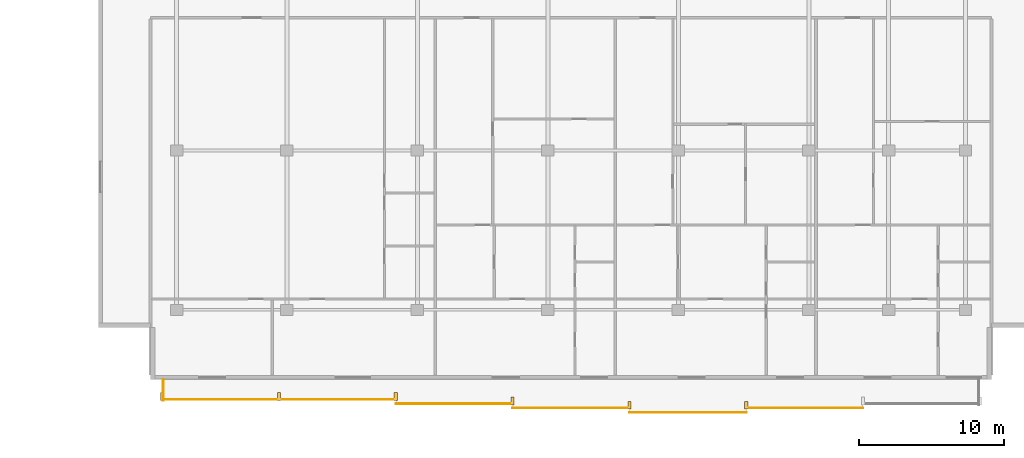
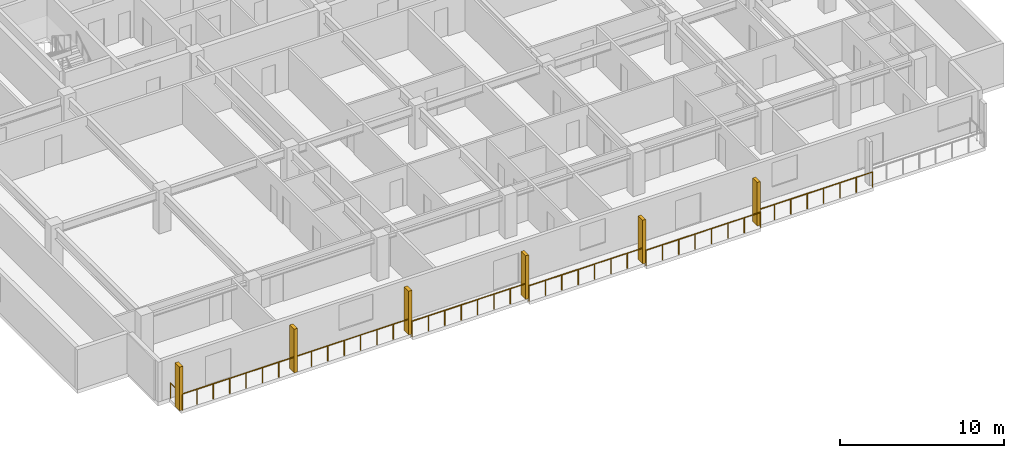
# One storey, part 17 of 21: 6 railings, 6 shading devices.
"""IFC4 building model written with IfcOpenShell, lengths in metres."""

from ifc_helpers import new_model, si_unit, direction, frame, origin, origin_2d, place, context, subcontext, project, spatial, rectangle, circle, extrude, material, type_object, element, save


model = new_model("IFC4")

# Units and contexts
model_context = context("Model", 3, precision=1e-05, world=origin(), true_north=direction((0.0, 1.0)))
body_context = subcontext(model_context, "Body", "Model", "MODEL_VIEW")
ifc_project = project(units=[si_unit("LENGTHUNIT", "METRE"), si_unit("AREAUNIT", "SQUARE_METRE"), si_unit("VOLUMEUNIT", "CUBIC_METRE"), si_unit("PLANEANGLEUNIT", "RADIAN"), si_unit("MASSUNIT", "GRAM", prefix="KILO")], contexts=[model_context])

# Site, building, storey
site_placement = place(None, origin())
site = spatial("IfcSite", under=ifc_project, at=site_placement, CompositionType="ELEMENT")
building_placement = place(site_placement, origin())
building = spatial("IfcBuilding", under=site, at=building_placement, Name="Korimba Cascade Residences", CompositionType="ELEMENT")
storey_placement = place(building_placement, frame((0.0, 0.0, 113.300048828125)))
storey = spatial("IfcBuildingStorey", under=building, at=storey_placement, Name="L32", CompositionType="ELEMENT", Elevation=113.300048828125)

# Railings
ifc_material_1 = material(Name="Laminated Glass and Bronze Balustrade", Category="glass")
railing_type = type_object("IfcRailingType", Name="RLG-LOG-1150", PredefinedType="BALUSTRADE", material=ifc_material_1)
railing_1_placement = place(storey_placement, frame((73.5, -10.3701171875, 0.0)))
element("IfcRailing", 1, at=railing_1_placement, inside=storey, type_object=railing_type, Name="L32 Perimeter Guardrail RLG-L32-T2-LOG-01", PredefinedType="BALUSTRADE", context=body_context, shape_type="SweptSolid", body=[
    extrude(circle(Radius=0.02392578125, at=origin_2d()), frame((0.0, 0.0, 1.1259765625), z_axis=(1.0, 0.0, 0.0), x_axis=(0.0, 1.0, 0.0)), (0.0, 0.0, 1.0), 16.1142578125),
    extrude(circle(Radius=0.02099609375, at=origin_2d()), origin(), (0.0, 0.0, 1.0), 1.101806640625),
    extrude(circle(Radius=0.02099609375, at=origin_2d()), frame((1.151123046875, 0.0, 0.0)), (0.0, 0.0, 1.0), 1.101806640625),
    extrude(circle(Radius=0.02099609375, at=origin_2d()), frame((2.302001953125, 0.0, 0.0)), (0.0, 0.0, 1.0), 1.101806640625),
    extrude(circle(Radius=0.02099609375, at=origin_2d()), frame((3.453125, 0.0, 0.0)), (0.0, 0.0, 1.0), 1.101806640625),
    extrude(circle(Radius=0.02099609375, at=origin_2d()), frame((4.60400390625, 0.0, 0.0)), (0.0, 0.0, 1.0), 1.101806640625),
    extrude(circle(Radius=0.02099609375, at=origin_2d()), frame((5.755126953125, 0.0, 0.0)), (0.0, 0.0, 1.0), 1.101806640625),
    extrude(circle(Radius=0.02099609375, at=origin_2d()), frame((6.906005859375, 0.0, 0.0)), (0.0, 0.0, 1.0), 1.101806640625),
    extrude(circle(Radius=0.02099609375, at=origin_2d()), frame((8.05712890625, 0.0, 0.0)), (0.0, 0.0, 1.0), 1.101806640625),
    extrude(circle(Radius=0.02099609375, at=origin_2d()), frame((9.208251953125, 0.0, 0.0)), (0.0, 0.0, 1.0), 1.101806640625),
    extrude(circle(Radius=0.02099609375, at=origin_2d()), frame((10.359130859375, 0.0, 0.0)), (0.0, 0.0, 1.0), 1.101806640625),
    extrude(circle(Radius=0.02099609375, at=origin_2d()), frame((11.51025390625, 0.0, 0.0)), (0.0, 0.0, 1.0), 1.101806640625),
    extrude(circle(Radius=0.02099609375, at=origin_2d()), frame((12.6611328125, 0.0, 0.0)), (0.0, 0.0, 1.0), 1.101806640625),
    extrude(circle(Radius=0.02099609375, at=origin_2d()), frame((13.812255859375, 0.0, 0.0)), (0.0, 0.0, 1.0), 1.101806640625),
    extrude(circle(Radius=0.02099609375, at=origin_2d()), frame((14.963134765625, 0.0, 0.0)), (0.0, 0.0, 1.0), 1.101806640625),
    extrude(circle(Radius=0.02099609375, at=origin_2d()), frame((16.1142578125, 0.0, 0.0)), (0.0, 0.0, 1.0), 1.101806640625),
])
for number, where, name in (
    (2, (89.6142578125, -10.669921875, 0.0), "L32 Perimeter Guardrail RLG-L32-T2-LOG-02"),
    (3, (97.67138671875, -10.969970703125, 0.0), "L32 Perimeter Guardrail RLG-L32-T2-LOG-03"),
    (4, (105.728515625, -11.27001953125, 0.0), "L32 Perimeter Guardrail RLG-L32-T2-LOG-04"),
):
    element("IfcRailing", number, at=place(storey_placement, frame(where)), inside=storey, type_object=railing_type, Name=name, PredefinedType="BALUSTRADE", context=body_context, shape_type="SweptSolid", body=[
        extrude(circle(Radius=0.02392578125, at=origin_2d()), frame((0.0, 0.0, 1.1259765625), z_axis=(1.0, 0.0, 0.0), x_axis=(0.0, 1.0, 0.0)), (0.0, 0.0, 1.0), 8.05712890625),
        extrude(circle(Radius=0.02099609375, at=origin_2d()), origin(), (0.0, 0.0, 1.0), 1.101806640625),
        extrude(circle(Radius=0.02099609375, at=origin_2d()), frame((1.151123046875, 0.0, 0.0)), (0.0, 0.0, 1.0), 1.101806640625),
        extrude(circle(Radius=0.02099609375, at=origin_2d()), frame((2.302001953125, 0.0, 0.0)), (0.0, 0.0, 1.0), 1.101806640625),
        extrude(circle(Radius=0.02099609375, at=origin_2d()), frame((3.453125, 0.0, 0.0)), (0.0, 0.0, 1.0), 1.101806640625),
        extrude(circle(Radius=0.02099609375, at=origin_2d()), frame((4.60400390625, 0.0, 0.0)), (0.0, 0.0, 1.0), 1.101806640625),
        extrude(circle(Radius=0.02099609375, at=origin_2d()), frame((5.755126953125, 0.0, 0.0)), (0.0, 0.0, 1.0), 1.101806640625),
        extrude(circle(Radius=0.02099609375, at=origin_2d()), frame((6.906005859375, 0.0, 0.0)), (0.0, 0.0, 1.0), 1.101806640625),
        extrude(circle(Radius=0.02099609375, at=origin_2d()), frame((8.05712890625, 0.0, 0.0)), (0.0, 0.0, 1.0), 1.101806640625),
    ])
railing_2_placement = place(storey_placement, frame((113.78564453125, -10.969970703125, 0.0)))
element("IfcRailing", 5, at=railing_2_placement, inside=storey, type_object=railing_type, Name="L32 Perimeter Guardrail RLG-L32-T2-LOG-05", PredefinedType="BALUSTRADE", context=body_context, shape_type="SweptSolid", body=[
    extrude(circle(Radius=0.02392578125, at=origin_2d()), frame((0.0, 0.0, 1.1259765625), z_axis=(1.0, 0.0, 0.0), x_axis=(0.0, 1.0, 0.0)), (0.0, 0.0, 1.0), 8.057373046875),
    extrude(circle(Radius=0.02099609375, at=origin_2d()), origin(), (0.0, 0.0, 1.0), 1.101806640625),
    extrude(circle(Radius=0.02099609375, at=origin_2d()), frame((1.151123046875, 0.0, 0.0)), (0.0, 0.0, 1.0), 1.101806640625),
    extrude(circle(Radius=0.02099609375, at=origin_2d()), frame((2.302001953125, 0.0, 0.0)), (0.0, 0.0, 1.0), 1.101806640625),
    extrude(circle(Radius=0.02099609375, at=origin_2d()), frame((3.453125, 0.0, 0.0)), (0.0, 0.0, 1.0), 1.101806640625),
    extrude(circle(Radius=0.02099609375, at=origin_2d()), frame((4.604248046875, 0.0, 0.0)), (0.0, 0.0, 1.0), 1.101806640625),
    extrude(circle(Radius=0.02099609375, at=origin_2d()), frame((5.75537109375, 0.0, 0.0)), (0.0, 0.0, 1.0), 1.101806640625),
    extrude(circle(Radius=0.02099609375, at=origin_2d()), frame((6.90625, 0.0, 0.0)), (0.0, 0.0, 1.0), 1.101806640625),
    extrude(circle(Radius=0.02099609375, at=origin_2d()), frame((8.057373046875, 0.0, 0.0)), (0.0, 0.0, 1.0), 1.101806640625),
])
railing_3_placement = place(storey_placement, frame((73.580078125, -9.0, 0.0)))
element("IfcRailing", 6, at=railing_3_placement, inside=storey, type_object=railing_type, Name="L32 Perimeter Guardrail RLG-L32-T2-LOG-08", PredefinedType="BALUSTRADE", context=body_context, shape_type="SweptSolid", body=[
    extrude(circle(Radius=0.02392578125, at=origin_2d()), frame((0.0, 0.0, 1.1259765625), z_axis=(0.0, -1.0, 0.0), x_axis=(1.0, 0.0, 0.0)), (0.0, 0.0, 1.0), 1.449951171875),
    extrude(circle(Radius=0.02099609375, at=origin_2d()), origin(), (0.0, 0.0, 1.0), 1.101806640625),
    extrude(circle(Radius=0.02099609375, at=origin_2d()), frame((0.0, -0.72509765625, 0.0)), (0.0, 0.0, 1.0), 1.101806640625),
    extrude(circle(Radius=0.02099609375, at=origin_2d()), frame((0.0, -1.449951171875, 0.0)), (0.0, 0.0, 1.0), 1.101806640625),
])

# Shading devices
ifc_material_2 = material(Name="Honed Sandstone Precast Fin", Category="masonry")
shading_device_type = type_object("IfcShadingDeviceType", Name="SHD-FIN-550", PredefinedType="USERDEFINED", material=ifc_material_2)
for number, where, z_axis, x_axis, name in (
    (7, (73.5, -10.175048828125, 0.0), (0.0, 0.0, 1.0), (1.0, 0.0, 0.0), "L32 T2 Warm-Stone Loggia Fin 1"),
    (8, (81.55712890625, -10.175048828125, 0.0), (0.0, 0.0, 1.0), (1.0, 0.0, 0.0), "L32 T2 Warm-Stone Loggia Fin 2"),
    (9, (89.6142578125, -10.175048828125, 0.0), (0.0, 0.0, 1.0), (1.0, 0.0, 0.0), "L32 T2 Warm-Stone Loggia Fin 3"),
    (10, (97.67138671875, -10.47509765625, 0.0), (0.0, 0.0, 1.0), (1.0, 0.0, 0.0), "L32 T2 Warm-Stone Loggia Fin 4"),
    (11, (105.728515625, -10.77490234375, 0.0), (0.0, 0.0, 1.0), (1.0, 0.0, 0.0), "L32 T2 Warm-Stone Loggia Fin 5"),
    (12, (113.78564453125, -10.77490234375, 0.0), (0.0, 0.0, 1.0), (1.0, 0.0, 0.0), "L32 T2 Warm-Stone Loggia Fin 6"),
):
    element("IfcShadingDevice", number, at=place(storey_placement, frame(where, z_axis=z_axis, x_axis=x_axis)), inside=storey, type_object=shading_device_type, Name=name, ObjectType="FIN", PredefinedType="USERDEFINED", context=body_context, shape_type="SweptSolid", body=[
        extrude(rectangle(XDim=0.219970703125, YDim=0.550048828125, at=origin_2d()), origin(), (0.0, 0.0, 1.0), 3.25),
    ])

save(model, "model.ifc")
